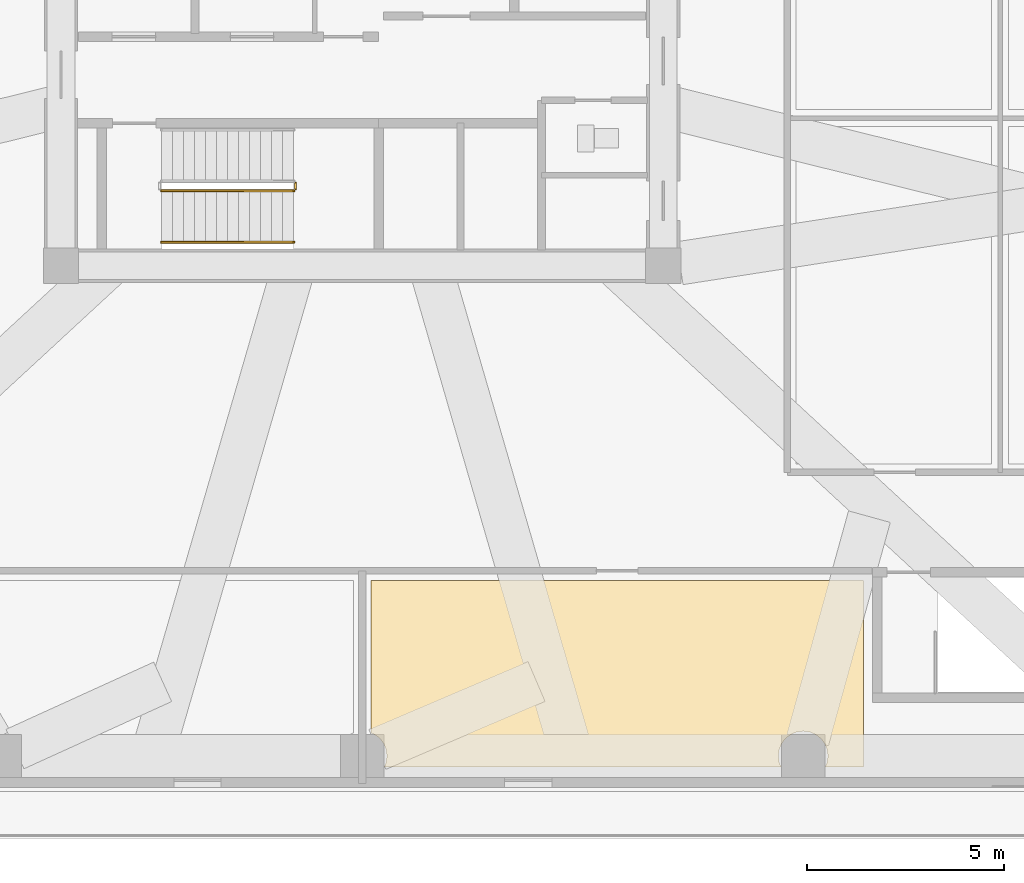
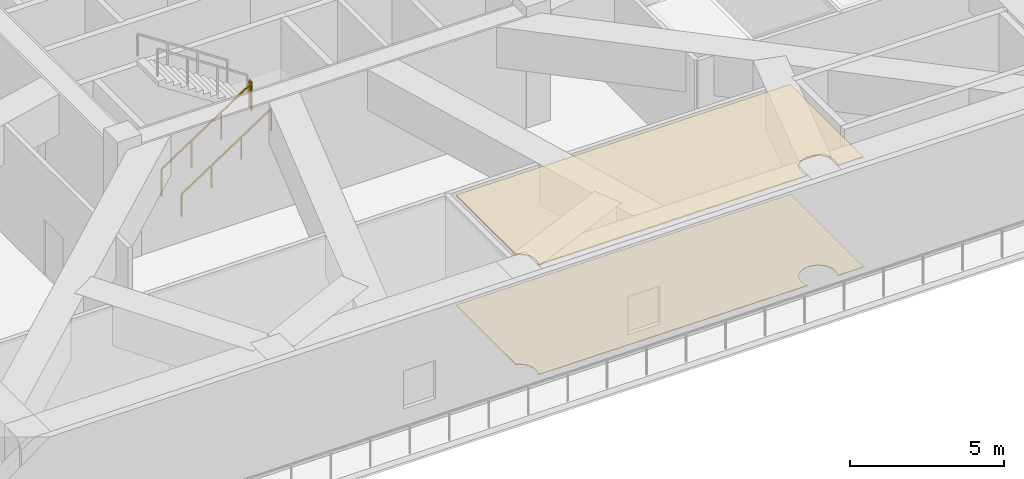
# One storey, part 14 of 21: 3 railings, 2 coverings.
"""IFC4 building model written with IfcOpenShell, lengths in metres."""

from ifc_helpers import new_model, si_unit, direction, frame, origin, origin_2d, place, context, subcontext, project, spatial, polyline, rectangle, outline, extrude, material, layer, layer_set, type_object, element, save


model = new_model("IFC4")

# Units and contexts
model_context = context("Model", 3, precision=1e-05, world=origin(), true_north=direction((0.0, 1.0)))
body_context = subcontext(model_context, "Body", "Model", "MODEL_VIEW")
ifc_project = project(units=[si_unit("LENGTHUNIT", "METRE"), si_unit("AREAUNIT", "SQUARE_METRE"), si_unit("VOLUMEUNIT", "CUBIC_METRE"), si_unit("PLANEANGLEUNIT", "RADIAN"), si_unit("MASSUNIT", "GRAM", prefix="KILO")], contexts=[model_context])

# Site, building, storey
site_placement = place(None, origin())
site = spatial("IfcSite", under=ifc_project, at=site_placement, CompositionType="ELEMENT")
building_placement = place(site_placement, origin())
building = spatial("IfcBuilding", under=site, at=building_placement, Name="Norrkilde Senior Care Towers", CompositionType="ELEMENT")
storey_placement = place(building_placement, frame((0.0, 0.0, 16.800048828125)))
storey = spatial("IfcBuildingStorey", under=building, at=storey_placement, Name="L04", CompositionType="ELEMENT", Elevation=16.800048828125)

# Coverings
ifc_material_1 = material(Name="Nordic Ash Timber", Category="wood")
ifc_layer_1 = layer(ifc_material_1, 0.044921875)
ifc_layer_set_1 = layer_set([ifc_layer_1], Name="Nordic Ash Timber")
covering_type_1 = type_object("IfcCoveringType", Name="Acoustic Ash Timber Slatted Ceiling 45", PredefinedType="CEILING", material=ifc_layer_set_1)
covering_1_placement = place(storey_placement, frame((0.0, 0.0, 4.3349609375)))
element("IfcCovering", 1, at=covering_1_placement, inside=storey, type_object=covering_type_1, Name="L04 Suspended Ceiling 0118", PredefinedType="CEILING", context=body_context, shape_type="SweptSolid", body=[
    extrude(outline(polyline([(-16.239990234375, -18.679931640625), (-16.19140625, -18.56298828125), (-16.169921875, -18.39990234375), (-16.19140625, -18.237060546875), (-16.25439453125, -18.0849609375), (-16.3544921875, -17.95458984375), (-16.485107421875, -17.8544921875), (-16.636962890625, -17.79150390625), (-16.800048828125, -17.77001953125), (-16.963134765625, -17.79150390625), (-17.114990234375, -17.8544921875), (-17.245361328125, -17.95458984375), (-17.345703125, -18.0849609375), (-17.408447265625, -18.237060546875), (-17.429931640625, -18.39990234375), (-17.408447265625, -18.56298828125), (-17.360107421875, -18.679931640625), (-27.43994140625, -18.679931640625), (-27.391357421875, -18.56298828125), (-27.3701171875, -18.39990234375), (-27.391357421875, -18.237060546875), (-27.454345703125, -18.0849609375), (-27.554443359375, -17.95458984375), (-27.68505859375, -17.8544921875), (-27.780029296875, -17.81494140625), (-27.780029296875, -13.93994140625), (-15.27001953125, -13.93994140625), (-15.27001953125, -18.679931640625), (-16.239990234375, -18.679931640625)])), origin(), (0.0, 0.0, 1.0), 0.044921875),
])
ifc_material_2 = material(Name="Slip-Resistant Porcelain Stone", Category="masonry")
ifc_layer_2 = layer(ifc_material_2, 0.02490234375)
ifc_layer_set_2 = layer_set([ifc_layer_2], Name="Slip-Resistant Porcelain Stone")
covering_type_2 = type_object("IfcCoveringType", Name="Slip-Resistant Porcelain Flooring 25", PredefinedType="FLOORING", material=ifc_layer_set_2)
covering_2_placement = place(storey_placement, origin())
element("IfcCovering", 2, at=covering_2_placement, inside=storey, type_object=covering_type_2, Name="L04 Floor Finish 0118", PredefinedType="FLOORING", context=body_context, shape_type="SweptSolid", body=[
    extrude(outline(polyline([(-16.239990234375, -18.679931640625), (-16.19140625, -18.56298828125), (-16.169921875, -18.39990234375), (-16.19140625, -18.237060546875), (-16.25439453125, -18.0849609375), (-16.3544921875, -17.95458984375), (-16.485107421875, -17.8544921875), (-16.636962890625, -17.79150390625), (-16.800048828125, -17.77001953125), (-16.963134765625, -17.79150390625), (-17.114990234375, -17.8544921875), (-17.245361328125, -17.95458984375), (-17.345703125, -18.0849609375), (-17.408447265625, -18.237060546875), (-17.429931640625, -18.39990234375), (-17.408447265625, -18.56298828125), (-17.360107421875, -18.679931640625), (-27.43994140625, -18.679931640625), (-27.391357421875, -18.56298828125), (-27.3701171875, -18.39990234375), (-27.391357421875, -18.237060546875), (-27.454345703125, -18.0849609375), (-27.554443359375, -17.95458984375), (-27.68505859375, -17.8544921875), (-27.780029296875, -17.81494140625), (-27.780029296875, -13.93994140625), (-15.27001953125, -13.93994140625), (-15.27001953125, -18.679931640625), (-16.239990234375, -18.679931640625)])), origin(), (0.0, 0.0, 1.0), 0.02490234375),
])

# Railings
ifc_material_3 = material(Name="Stainless Steel", Category="steel")
railing_type_1 = type_object("IfcRailingType", Name="Stair and Terrace Guardrail 1100", PredefinedType="GUARDRAIL", material=ifc_material_3)
railing_1_placement = place(storey_placement, frame((-33.10009765625, -4.050048828125, 0.1845703125)))
element("IfcRailing", 3, at=railing_1_placement, inside=storey, type_object=railing_type_1, Name="L04 ST-W2 stair guard 1", PredefinedType="GUARDRAIL", context=body_context, shape_type="SweptSolid", body=[
    extrude(rectangle(XDim=0.048095703125, YDim=0.048095703125, at=origin_2d()), frame((0.0, 0.0, 1.076171875), z_axis=(0.834876476806, 0.0, 0.550437342915), x_axis=(0.0, 1.0, 0.0)), (0.0, 0.0, 1.0), 4.024658203125),
    extrude(rectangle(XDim=0.0419921875, YDim=0.0419921875, at=origin_2d()), origin(), (0.0, 0.0, 1.0), 1.050048828125),
    extrude(rectangle(XDim=0.0419921875, YDim=0.0419921875, at=origin_2d()), frame((1.1201171875, 0.0, 0.738525390625)), (0.0, 0.0, 1.0), 1.050048828125),
    extrude(rectangle(XDim=0.0419921875, YDim=0.0419921875, at=origin_2d()), frame((2.239990234375, 0.0, 1.476806640625)), (0.0, 0.0, 1.0), 1.050048828125),
    extrude(rectangle(XDim=0.0419921875, YDim=0.0419921875, at=origin_2d()), frame((3.360107421875, 0.0, 2.21533203125)), (0.0, 0.0, 1.0), 1.050048828125),
])
railing_2_placement = place(storey_placement, frame((-29.68994140625, -4.0, 2.39990234375)))
element("IfcRailing", 4, at=railing_2_placement, inside=storey, type_object=railing_type_1, Name="L04 ST-W2 stair guard 2", PredefinedType="GUARDRAIL", context=body_context, shape_type="SweptSolid", body=[
    extrude(rectangle(XDim=0.048095703125, YDim=0.048095703125, at=origin_2d()), frame((0.0, 0.0, 1.076171875), z_axis=(0.0, 1.0, 0.0), x_axis=(-1.0, 0.0, 0.0)), (0.0, 0.0, 1.0), 0.14990234375),
    extrude(rectangle(XDim=0.0419921875, YDim=0.0419921875, at=origin_2d()), origin(), (0.0, 0.0, 1.0), 1.050048828125),
    extrude(rectangle(XDim=0.0419921875, YDim=0.0419921875, at=origin_2d()), frame((0.0, 0.14990234375, 0.0)), (0.0, 0.0, 1.0), 1.050048828125),
])
railing_type_2 = type_object("IfcRailingType", Name="Wall and Stair Handrail 900", PredefinedType="HANDRAIL", material=ifc_material_1)
railing_3_placement = place(storey_placement, frame((-33.10009765625, -5.35009765625, 0.1845703125)))
element("IfcRailing", 5, at=railing_3_placement, inside=storey, type_object=railing_type_2, Name="L04 ST-W2 stair handrail 1", PredefinedType="HANDRAIL", context=body_context, shape_type="SweptSolid", body=[
    extrude(rectangle(XDim=0.048095703125, YDim=0.048095703125, at=origin_2d()), frame((0.0, 0.0, 0.8759765625), z_axis=(0.834876476806, 0.0, 0.550437342915), x_axis=(0.0, 1.0, 0.0)), (0.0, 0.0, 1.0), 4.024658203125),
    extrude(rectangle(XDim=0.0419921875, YDim=0.0419921875, at=origin_2d()), origin(), (0.0, 0.0, 1.0), 0.849853515625),
    extrude(rectangle(XDim=0.0419921875, YDim=0.0419921875, at=origin_2d()), frame((1.1201171875, 0.0, 0.738525390625)), (0.0, 0.0, 1.0), 0.849853515625),
    extrude(rectangle(XDim=0.0419921875, YDim=0.0419921875, at=origin_2d()), frame((2.239990234375, 0.0, 1.476806640625)), (0.0, 0.0, 1.0), 0.849853515625),
    extrude(rectangle(XDim=0.0419921875, YDim=0.0419921875, at=origin_2d()), frame((3.360107421875, 0.0, 2.21533203125)), (0.0, 0.0, 1.0), 0.849853515625),
])

save(model, "model.ifc")
